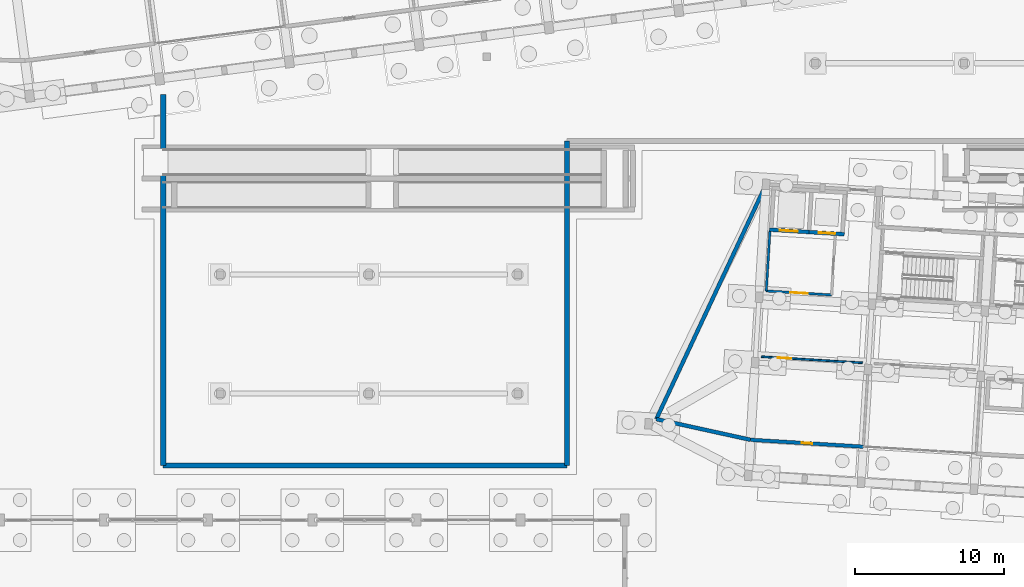
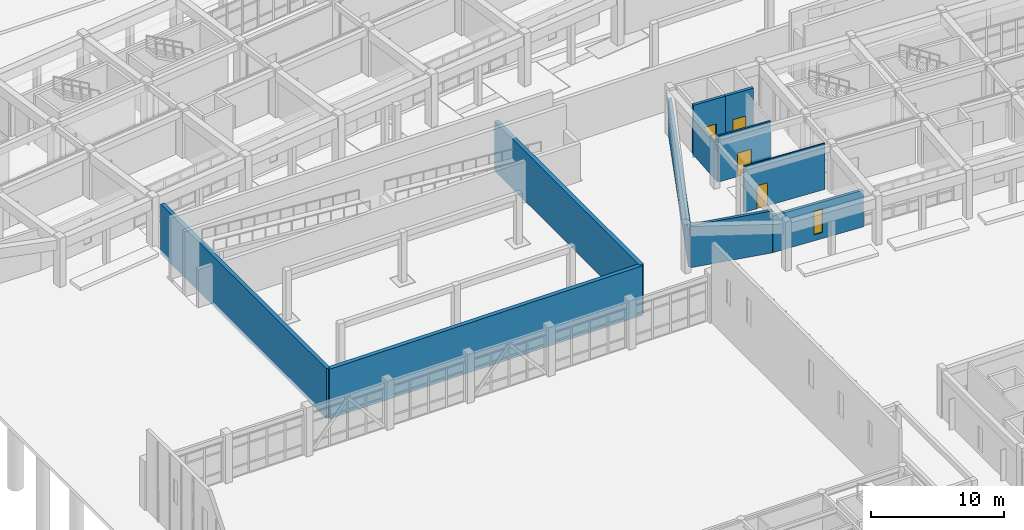
# One storey, part 119 of 154: 11 walls, 4 doors, 1 window, 5 openings.
"""IFC4 building model written with IfcOpenShell, lengths in metres."""

from ifc_helpers import new_model, si_unit, direction, frame, frame_2d, origin, place, context, subcontext, project, spatial, rectangle, extrude, material, layer, layer_set, type_object, element, fill, save


model = new_model("IFC4")

# Units and contexts
model_context = context("Model", 3, precision=1e-05, world=origin(), true_north=direction((0.0, 1.0)))
body_context = subcontext(model_context, "Body", "Model", "MODEL_VIEW")
ifc_project = project(units=[si_unit("LENGTHUNIT", "METRE"), si_unit("AREAUNIT", "SQUARE_METRE"), si_unit("VOLUMEUNIT", "CUBIC_METRE"), si_unit("PLANEANGLEUNIT", "RADIAN"), si_unit("MASSUNIT", "GRAM", prefix="KILO")], contexts=[model_context])

# Site, building, storey
site_placement = place(None, origin())
site = spatial("IfcSite", under=ifc_project, at=site_placement, CompositionType="ELEMENT")
building_placement = place(site_placement, origin())
building = spatial("IfcBuilding", under=site, at=building_placement, Name="Kestramere Prow Commons", CompositionType="ELEMENT")
storey_placement = place(building_placement, origin())
storey = spatial("IfcBuildingStorey", under=building, at=storey_placement, Name="L00", CompositionType="ELEMENT", Elevation=0.0)

# Walls
ifc_material_1 = material(Name="Weathered Zinc-Titanium Standing-Seam Cladding")
ifc_layer_1 = layer(ifc_material_1, 0.260009765625)
ifc_layer_set_1 = layer_set([ifc_layer_1], Name="Weathered Zinc-Titanium Standing-Seam Cladding")
wall_type_1 = type_object("IfcWallType", Name="EW-PROW-260", PredefinedType="SOLIDWALL", material=ifc_layer_set_1)
wall_1_placement = place(storey_placement, frame((59.646484375, 48.8955078125, 0.0), z_axis=(0.0, 0.0, 1.0), x_axis=(-0.976741647881, 0.214419573019, 0.0)))
element("IfcWall", 1, at=wall_1_placement, inside=storey, type_object=wall_type_1, Name="Block C L00 PRW-S Wall", PredefinedType="SOLIDWALL", context=body_context, shape_type="SweptSolid", body=[
    extrude(rectangle(XDim=6.4775390625, YDim=0.260009765625, at=frame_2d((3.23876953125, 0.0))), origin(), (0.0, 0.0, 1.0), 3.85009765625),
])
wall_2_placement = place(storey_placement, frame((53.319580078125, 50.284423828125, 0.0), z_axis=(0.0, 0.0, 1.0), x_axis=(0.423516863973, 0.905888219335, 0.0)))
element("IfcWall", 2, at=wall_2_placement, inside=storey, type_object=wall_type_1, Name="Block C L00 PRW-N Wall", PredefinedType="SOLIDWALL", context=body_context, shape_type="SweptSolid", body=[
    extrude(rectangle(XDim=17.418212890625, YDim=0.260009765625, at=frame_2d((8.708984375, 0.0))), origin(), (0.0, 0.0, 1.0), 3.35009765625),
])

# Wall, opening, window
ifc_material_2 = material(Name="Fluoropolymer Standing-Seam Zinc-Aluminium Cladding", Category="aluminium")
ifc_layer_2 = layer(ifc_material_2, 0.239990234375)
ifc_layer_set_2 = layer_set([ifc_layer_2], Name="Fluoropolymer Standing-Seam Zinc-Aluminium Cladding")
wall_type_2 = type_object("IfcWallType", Name="EW-SEAM-240", PredefinedType="SOLIDWALL", material=ifc_layer_set_2)
wall_3_placement = place(storey_placement, frame((67.232421875, 48.431640625, 0.0), z_axis=(0.0, 0.0, 1.0), x_axis=(-0.998135669243, 0.061034300063, 0.0)))
wall_3 = element("IfcWall", 3, at=wall_3_placement, inside=storey, type_object=wall_type_2, Name="Block C L00 South Recessed Wall 1", PredefinedType="SOLIDWALL", context=body_context, shape_type="SweptSolid", body=[
    extrude(rectangle(XDim=7.60009765625, YDim=0.239990234375, at=frame_2d((3.800048828125, 0.0))), origin(), (0.0, 0.0, 1.0), 3.35009765625),
])
opening_1_placement = place(wall_3_placement, frame((3.43994140625, 0.0, 0.550048828125)))
opening_1 = element("IfcOpeningElement", 4, at=opening_1_placement, cuts=wall_3, Name="Opening WN-08", PredefinedType="OPENING", context=body_context, shape_type="SweptSolid", body=[
    extrude(rectangle(XDim=0.719970703125, YDim=2.159912109375, at=frame_2d((0.35986328125, 1.080078125))), frame((0.0, 0.135009765625, 0.0), z_axis=(0.0, -1.0, 0.0), x_axis=(1.0, 0.0, 0.0)), (0.0, 0.0, 1.0), 0.27001953125),
])
ifc_material_3 = material(Name="Low-E Laminated Double Glazing", Category="glass")
window_type = type_object("IfcWindowType", Name="WN-NAR-720A", PartitioningType="SINGLE_PANEL", PredefinedType="WINDOW", material=ifc_material_3)
window_placement = place(opening_1_placement, origin())
window = element("IfcWindow", 5, at=window_placement, inside=storey, type_object=window_type, Name="WN-C-L00-S-0", OverallHeight=2.159912109375, OverallWidth=0.719970703125, PartitioningType="SINGLE_PANEL", PredefinedType="WINDOW", context=body_context, shape_type="SweptSolid", body=[
    extrude(rectangle(XDim=0.719970703125, YDim=2.159912109375, at=frame_2d((0.35986328125, 1.080078125))), frame((0.0, 0.030029296875, 0.0), z_axis=(0.0, -1.0, 0.0), x_axis=(1.0, 0.0, 0.0)), (0.0, 0.0, 1.0), 0.06005859375),
])
fill(opening_1, window)

# Wall, opening, door
ifc_material_4 = material(Name="Concrete C40/50", Category="concrete")
ifc_layer_3 = layer(ifc_material_4, 0.25)
ifc_layer_set_3 = layer_set([ifc_layer_3], Name="Concrete C40/50")
wall_type_3 = type_object("IfcWallType", Name="W-CORE-250", PredefinedType="SHEAR", material=ifc_layer_set_3)
wall_4_placement = place(storey_placement, frame((60.9111328125, 63.019775390625, -0.35009765625), z_axis=(0.0, 0.0, 1.0), x_axis=(0.998134099905, -0.061059959111, 0.0)))
wall_4 = element("IfcWall", 6, at=wall_4_placement, inside=storey, type_object=wall_type_3, Name="Block C L00 Fire Lift Shaft Front Wall", PredefinedType="SHEAR", context=body_context, shape_type="SweptSolid", body=[
    extrude(rectangle(XDim=2.6748046875, YDim=0.25, at=frame_2d((1.33740234375, 0.0))), origin(), (0.0, 0.0, 1.0), 4.85009765625),
])
opening_2_placement = place(wall_4_placement, frame((0.719970703125, 0.0, 0.35009765625)))
opening_2 = element("IfcOpeningElement", 7, at=opening_2_placement, cuts=wall_4, Name="Opening LD-02", PredefinedType="OPENING", context=body_context, shape_type="SweptSolid", body=[
    extrude(rectangle(XDim=1.199951171875, YDim=2.199951171875, at=frame_2d((0.60009765625, 1.10009765625))), frame((0.0, 0.139892578125, 0.0), z_axis=(0.0, -1.0, 0.0), x_axis=(1.0, 0.0, 0.0)), (0.0, 0.0, 1.0), 0.280029296875),
])
ifc_material_5 = material(Name="Brushed Stainless Steel 316", Category="steel")
door_type_1 = type_object("IfcDoorType", Name="LD-02", OperationType="DOUBLE_DOOR_SLIDING", PredefinedType="DOOR", material=ifc_material_5)
door_1_placement = place(opening_2_placement, origin())
door_1 = element("IfcDoor", 8, at=door_1_placement, inside=storey, type_object=door_type_1, Name="FL-C1 L00 Lift Landing Door", OperationType="DOUBLE_DOOR_SLIDING", OverallHeight=2.199951171875, OverallWidth=1.199951171875, PredefinedType="DOOR", context=body_context, shape_type="SweptSolid", body=[
    extrude(rectangle(XDim=1.199951171875, YDim=2.199951171875, at=frame_2d((0.60009765625, 1.10009765625))), frame((0.0, 0.02490234375, 0.0), z_axis=(0.0, -1.0, 0.0), x_axis=(1.0, 0.0, 0.0)), (0.0, 0.0, 1.0), 0.050048828125),
])
fill(opening_2, door_1)

wall_5_placement = place(storey_placement, frame((63.5810546875, 62.8564453125, -0.35009765625), z_axis=(0.0, 0.0, 1.0), x_axis=(0.998134103342, -0.061059902923, 0.0)))
wall_5 = element("IfcWall", 9, at=wall_5_placement, inside=storey, type_object=wall_type_3, Name="Block C L00 Passenger Lift Shaft Front Wall", PredefinedType="SHEAR", context=body_context, shape_type="SweptSolid", body=[
    extrude(rectangle(XDim=2.375, YDim=0.25, at=frame_2d((1.1875, 0.0))), origin(), (0.0, 0.0, 1.0), 4.85009765625),
])
opening_3_placement = place(wall_5_placement, frame((0.64990234375, 0.0, 0.35009765625)))
opening_3 = element("IfcOpeningElement", 10, at=opening_3_placement, cuts=wall_5, Name="Opening LD-01", PredefinedType="OPENING", context=body_context, shape_type="SweptSolid", body=[
    extrude(rectangle(XDim=1.10009765625, YDim=2.14990234375, at=frame_2d((0.550048828125, 1.074951171875))), frame((0.0, 0.139892578125, 0.0), z_axis=(0.0, -1.0, 0.0), x_axis=(1.0, 0.0, 0.0)), (0.0, 0.0, 1.0), 0.280029296875),
])
ifc_material_6 = material(Name="Brushed Stainless Steel 304", Category="steel")
door_type_2 = type_object("IfcDoorType", Name="LD-01", OperationType="DOUBLE_DOOR_SLIDING", PredefinedType="DOOR", material=ifc_material_6)
door_2_placement = place(opening_3_placement, origin())
door_2 = element("IfcDoor", 11, at=door_2_placement, inside=storey, type_object=door_type_2, Name="PL-C2 L00 Lift Landing Door", OperationType="DOUBLE_DOOR_SLIDING", OverallHeight=2.14990234375, OverallWidth=1.10009765625, PredefinedType="DOOR", context=body_context, shape_type="SweptSolid", body=[
    extrude(rectangle(XDim=1.10009765625, YDim=2.14990234375, at=frame_2d((0.550048828125, 1.074951171875))), frame((0.0, 0.02490234375, 0.0), z_axis=(0.0, -1.0, 0.0), x_axis=(1.0, 0.0, 0.0)), (0.0, 0.0, 1.0), 0.050048828125),
])
fill(opening_3, door_2)

ifc_material_7 = material(Name="Fire-Rated Calcium Silicate Wall")
ifc_layer_4 = layer(ifc_material_7, 0.155029296875)
ifc_layer_set_4 = layer_set([ifc_layer_4], Name="Fire-Rated Calcium Silicate Wall")
wall_type_4 = type_object("IfcWallType", Name="W-FIRE-150", PredefinedType="PARTITIONING", material=ifc_layer_set_4)
wall_6_placement = place(storey_placement, frame((60.709228515625, 58.8994140625, 0.0), z_axis=(0.0, 0.0, 1.0), x_axis=(0.998132276607, -0.061089756882, 0.0)))
wall_6 = element("IfcWall", 12, at=wall_6_placement, inside=storey, type_object=wall_type_4, Name="Interior Partition PW-C-L00-FFL-S", PredefinedType="PARTITIONING", context=body_context, shape_type="SweptSolid", body=[
    extrude(rectangle(XDim=4.400146484375, YDim=0.155029296875, at=frame_2d((2.2001953125, 0.0))), origin(), (0.0, 0.0, 1.0), 4.219970703125),
])
opening_4_placement = place(wall_6_placement, frame((1.60009765625, 0.0, 0.0)))
opening_4 = element("IfcOpeningElement", 13, at=opening_4_placement, cuts=wall_6, Name="Opening ID-03", PredefinedType="OPENING", context=body_context, shape_type="SweptSolid", body=[
    extrude(rectangle(XDim=1.179931640625, YDim=2.14990234375, at=frame_2d((0.58984375, 1.074951171875))), frame((0.0, 0.092529296875, 0.0), z_axis=(0.0, -1.0, 0.0), x_axis=(1.0, 0.0, 0.0)), (0.0, 0.0, 1.0), 0.18505859375),
])
ifc_material_8 = material(Name="Fire-Rated Glazed Smoke-Stop Door")
door_type_3 = type_object("IfcDoorType", Name="FD-LB-01", OperationType="NOTDEFINED", PredefinedType="DOOR", material=ifc_material_8)
door_3_placement = place(opening_4_placement, origin())
door_3 = element("IfcDoor", 14, at=door_3_placement, inside=storey, type_object=door_type_3, Name="Interior Door DR-C-L00-FFL", OperationType="SINGLE_SWING_LEFT", OverallHeight=2.14990234375, OverallWidth=1.179931640625, PredefinedType="DOOR", context=body_context, shape_type="SweptSolid", body=[
    extrude(rectangle(XDim=1.179931640625, YDim=2.14990234375, at=frame_2d((0.58984375, 1.074951171875))), frame((0.0, 0.02490234375, 0.0), z_axis=(0.0, -1.0, 0.0), x_axis=(1.0, 0.0, 0.0)), (0.0, 0.0, 1.0), 0.050048828125),
])
fill(opening_4, door_3)

# Wall
wall_7_placement = place(storey_placement, frame((60.709228515625, 58.8994140625, 0.0), z_axis=(0.0, 0.0, 1.0), x_axis=(0.061036844229, 0.998135513669, 0.0)))
element("IfcWall", 15, at=wall_7_placement, inside=storey, type_object=wall_type_4, Name="Interior Partition PW-C-L00-FFL-W", PredefinedType="PARTITIONING", context=body_context, shape_type="SweptSolid", body=[
    extrude(rectangle(XDim=4.0, YDim=0.155029296875, at=frame_2d((2.0, 0.0))), origin(), (0.0, 0.0, 1.0), 3.35009765625),
])

# Wall, opening, door
ifc_material_9 = material(Name="Lightweight Blockwork and Plaster", Category="masonry")
ifc_layer_5 = layer(ifc_material_9, 0.1201171875)
ifc_layer_set_5 = layer_set([ifc_layer_5], Name="Lightweight Blockwork and Plaster")
wall_type_5 = type_object("IfcWallType", Name="W-PART-120", PredefinedType="PARTITIONING", material=ifc_layer_set_5)
wall_8_placement = place(storey_placement, frame((60.388916015625, 54.480712890625, 0.0), z_axis=(0.0, 0.0, 1.0), x_axis=(0.998133446169, -0.061070644651, 0.0)))
wall_8 = element("IfcWall", 16, at=wall_8_placement, inside=storey, type_object=wall_type_5, Name="Interior Partition PW-C-L00-CS-0", PredefinedType="PARTITIONING", context=body_context, shape_type="SweptSolid", body=[
    extrude(rectangle(XDim=6.800048828125, YDim=0.1201171875, at=frame_2d((3.39990234375, 0.0))), origin(), (0.0, 0.0, 1.0), 4.219970703125),
])
opening_5_placement = place(wall_8_placement, frame((1.10009765625, 0.0, 0.0)))
opening_5 = element("IfcOpeningElement", 17, at=opening_5_placement, cuts=wall_8, Name="Opening ID-08", PredefinedType="OPENING", context=body_context, shape_type="SweptSolid", body=[
    extrude(rectangle(XDim=0.89990234375, YDim=2.10009765625, at=frame_2d((0.449951171875, 1.050048828125))), frame((0.0, 0.074951171875, 0.0), z_axis=(0.0, -1.0, 0.0), x_axis=(1.0, 0.0, 0.0)), (0.0, 0.0, 1.0), 0.150146484375),
])
ifc_material_10 = material(Name="Engineered Timber Flush Door", Category="wood")
door_type_4 = type_object("IfcDoorType", Name="D-RM-01", OperationType="NOTDEFINED", PredefinedType="DOOR", material=ifc_material_10)
door_4_placement = place(opening_5_placement, origin())
door_4 = element("IfcDoor", 18, at=door_4_placement, inside=storey, type_object=door_type_4, Name="Interior Door DR-C-L00-S-0", OperationType="SINGLE_SWING_LEFT", OverallHeight=2.10009765625, OverallWidth=0.89990234375, PredefinedType="DOOR", context=body_context, shape_type="SweptSolid", body=[
    extrude(rectangle(XDim=0.89990234375, YDim=2.10009765625, at=frame_2d((0.449951171875, 1.050048828125))), frame((0.0, 0.02490234375, 0.0), z_axis=(0.0, -1.0, 0.0), x_axis=(1.0, 0.0, 0.0)), (0.0, 0.0, 1.0), 0.050048828125),
])
fill(opening_5, door_4)

# Walls
ifc_material_11 = material(Name="Pigmented Charcoal Concrete C35/45", Category="concrete")
ifc_layer_6 = layer(ifc_material_11, 0.35009765625)
ifc_layer_set_6 = layer_set([ifc_layer_6], Name="Pigmented Charcoal Concrete C35/45")
wall_type_6 = type_object("IfcWallType", Name="W-RET-350", PredefinedType="USERDEFINED", material=ifc_layer_set_6)
wall_9_placement = place(storey_placement, frame((47.324951171875, 47.175048828125, -0.35009765625), z_axis=(0.0, 0.0, 1.0), x_axis=(-1.0, 0.0, 0.0)))
element("IfcWall", 19, at=wall_9_placement, inside=storey, type_object=wall_type_6, Name="Raised Hillside Courtyard Retaining Wall 1", ObjectType="RETAINING WALL", PredefinedType="USERDEFINED", context=body_context, shape_type="SweptSolid", body=[
    extrude(rectangle(XDim=27.14990234375, YDim=0.35009765625, at=frame_2d((13.574951171875, 0.0))), origin(), (0.0, 0.0, 1.0), 4.550048828125),
])
wall_10_placement = place(storey_placement, frame((20.175048828125, 47.175048828125, -0.35009765625), z_axis=(0.0, 0.0, 1.0), x_axis=(0.0, 1.0, 0.0)))
element("IfcWall", 20, at=wall_10_placement, inside=storey, type_object=wall_type_6, Name="Raised Hillside Courtyard Retaining Wall 2", ObjectType="RETAINING WALL", PredefinedType="USERDEFINED", context=body_context, shape_type="SweptSolid", body=[
    extrude(rectangle(XDim=24.917236328125, YDim=0.35009765625, at=frame_2d((12.45849609375, 0.0))), origin(), (0.0, 0.0, 1.0), 4.550048828125),
])
wall_11_placement = place(storey_placement, frame((47.324951171875, 68.97509765625, -0.35009765625), z_axis=(0.0, 0.0, 1.0), x_axis=(0.0, -1.0, 0.0)))
element("IfcWall", 21, at=wall_11_placement, inside=storey, type_object=wall_type_6, Name="Raised Hillside Courtyard Retaining Wall 10", ObjectType="RETAINING WALL", PredefinedType="USERDEFINED", context=body_context, shape_type="SweptSolid", body=[
    extrude(rectangle(XDim=21.800048828125, YDim=0.35009765625, at=frame_2d((10.89990234375, 0.0))), origin(), (0.0, 0.0, 1.0), 4.550048828125),
])

save(model, "model.ifc")
